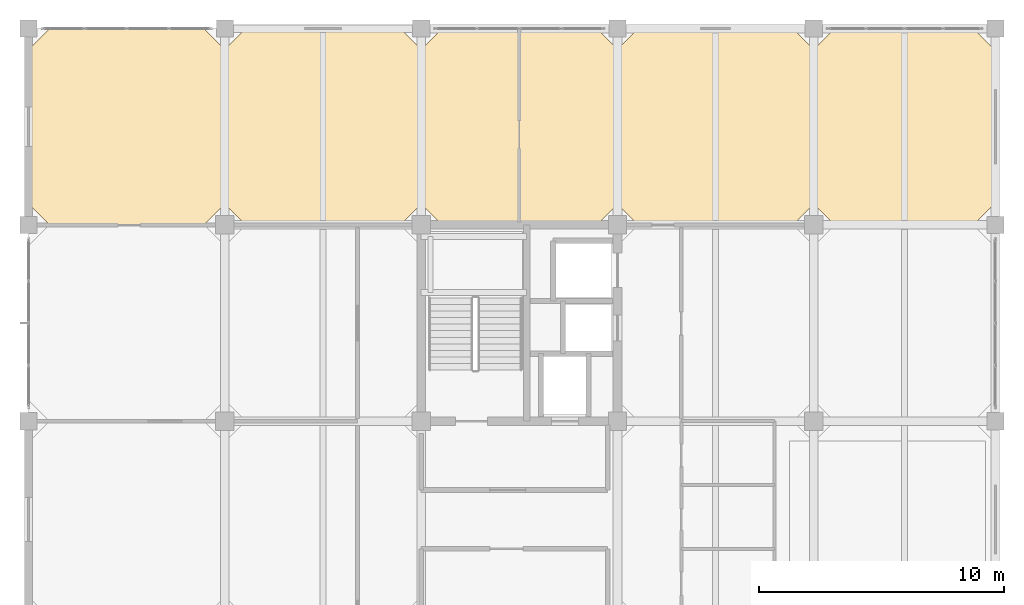
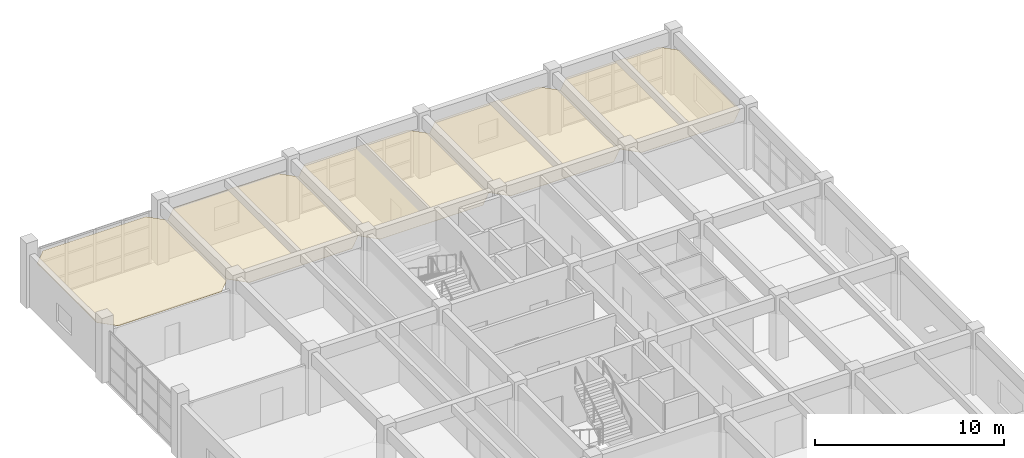
# One storey, part 27 of 27: 5 coverings.
"""IFC4 building model written with IfcOpenShell, lengths in metres."""

from ifc_helpers import new_model, si_unit, direction, frame, origin, place, context, subcontext, project, spatial, polyline, outline, extrude, material, layer, layer_set, type_object, element, save


model = new_model("IFC4")

# Units and contexts
model_context = context("Model", 3, precision=1e-05, world=origin(), true_north=direction((0.0, 1.0)))
body_context = subcontext(model_context, "Body", "Model", "MODEL_VIEW")
ifc_project = project(units=[si_unit("LENGTHUNIT", "METRE"), si_unit("AREAUNIT", "SQUARE_METRE"), si_unit("VOLUMEUNIT", "CUBIC_METRE"), si_unit("PLANEANGLEUNIT", "RADIAN"), si_unit("MASSUNIT", "GRAM", prefix="KILO")], contexts=[model_context])

# Site, building, storey
site_placement = place(None, origin())
site = spatial("IfcSite", under=ifc_project, at=site_placement, CompositionType="ELEMENT")
building_placement = place(site_placement, origin())
building = spatial("IfcBuilding", under=site, at=building_placement, Name="Canggui Botanical Conservatory", CompositionType="ELEMENT")
storey_placement = place(building_placement, frame((0.0, 0.0, 36.0)))
storey = spatial("IfcBuildingStorey", under=building, at=storey_placement, Name="L09", CompositionType="ELEMENT", Elevation=36.0)

# Coverings
ifc_material_1 = material(Name="Mineral Fibre Acoustic Board")
ifc_layer_1 = layer(ifc_material_1, 0.014892578125, Name="Mineral Fibre Acoustic Board")
ifc_layer_set_1 = layer_set([ifc_layer_1], Name="Mineral Fibre Acoustic Board")
covering_type_1 = type_object("IfcCoveringType", Name="COV-CEIL-15", PredefinedType="CEILING", material=ifc_layer_set_1)
covering_1_placement = place(storey_placement, frame((0.0, 0.0, 3.094970703125)))
element("IfcCovering", 1, at=covering_1_placement, inside=storey, type_object=covering_type_1, Name="Suspended Acoustic Ceiling L09-138-66", PredefinedType="CEILING", context=body_context, shape_type="SweptSolid", body=[
    extrude(outline(polyline([(138.85009765625, 66.0), (145.14990234375, 66.0), (146.0, 66.85009765625), (146.0, 73.14990234375), (145.14990234375, 74.0), (138.85009765625, 74.0), (138.0, 73.14990234375), (138.0, 66.85009765625), (138.85009765625, 66.0)])), origin(), (0.0, 0.0, 1.0), 0.01513671875),
])
covering_2_placement = place(storey_placement, frame((0.0, 0.0, 3.094970703125)))
element("IfcCovering", 2, at=covering_2_placement, inside=storey, type_object=covering_type_1, Name="Suspended Acoustic Ceiling L09-154-66", PredefinedType="CEILING", context=body_context, shape_type="SweptSolid", body=[
    extrude(outline(polyline([(154.85009765625, 66.0), (161.14990234375, 66.0), (162.0, 66.85009765625), (162.0, 73.14990234375), (161.14990234375, 74.0), (154.85009765625, 74.0), (154.0, 73.14990234375), (154.0, 66.85009765625), (154.85009765625, 66.0)])), origin(), (0.0, 0.0, 1.0), 0.01513671875),
])
covering_3_placement = place(storey_placement, frame((0.0, 0.0, 3.094970703125)))
element("IfcCovering", 3, at=covering_3_placement, inside=storey, type_object=covering_type_1, Name="Suspended Acoustic Ceiling L09-170-66", PredefinedType="CEILING", context=body_context, shape_type="SweptSolid", body=[
    extrude(outline(polyline([(170.85009765625, 66.0), (176.5, 66.0), (177.35009765625, 66.85009765625), (177.35009765625, 73.14990234375), (176.5, 74.0), (170.85009765625, 74.0), (170.0, 73.14990234375), (170.0, 66.85009765625), (170.85009765625, 66.0)])), origin(), (0.0, 0.0, 1.0), 0.01513671875),
])
ifc_material_2 = material(Name="Perforated Gypsum Acoustic Panel")
ifc_layer_2 = layer(ifc_material_2, 0.02001953125, Name="Perforated Gypsum Acoustic Panel")
ifc_layer_set_2 = layer_set([ifc_layer_2], Name="Perforated Gypsum Acoustic Panel")
covering_type_2 = type_object("IfcCoveringType", Name="COV-CEIL-20", PredefinedType="CEILING", material=ifc_layer_set_2)
covering_4_placement = place(storey_placement, frame((0.0, 0.0, 3.090087890625)))
element("IfcCovering", 4, at=covering_4_placement, inside=storey, type_object=covering_type_2, Name="Suspended Acoustic Ceiling L09-146-66", PredefinedType="CEILING", context=body_context, shape_type="SweptSolid", body=[
    extrude(outline(polyline([(146.85009765625, 66.0), (153.14990234375, 66.0), (154.0, 66.85009765625), (154.0, 73.14990234375), (153.14990234375, 74.0), (146.85009765625, 74.0), (146.0, 73.14990234375), (146.0, 66.85009765625), (146.85009765625, 66.0)])), origin(), (0.0, 0.0, 1.0), 0.02001953125),
])
covering_5_placement = place(storey_placement, frame((0.0, 0.0, 3.090087890625)))
element("IfcCovering", 5, at=covering_5_placement, inside=storey, type_object=covering_type_2, Name="Suspended Acoustic Ceiling L09-162-66", PredefinedType="CEILING", context=body_context, shape_type="SweptSolid", body=[
    extrude(outline(polyline([(162.85009765625, 66.0), (169.14990234375, 66.0), (170.0, 66.85009765625), (170.0, 73.14990234375), (169.14990234375, 74.0), (162.85009765625, 74.0), (162.0, 73.14990234375), (162.0, 66.85009765625), (162.85009765625, 66.0)])), origin(), (0.0, 0.0, 1.0), 0.02001953125),
])

save(model, "model.ifc")
